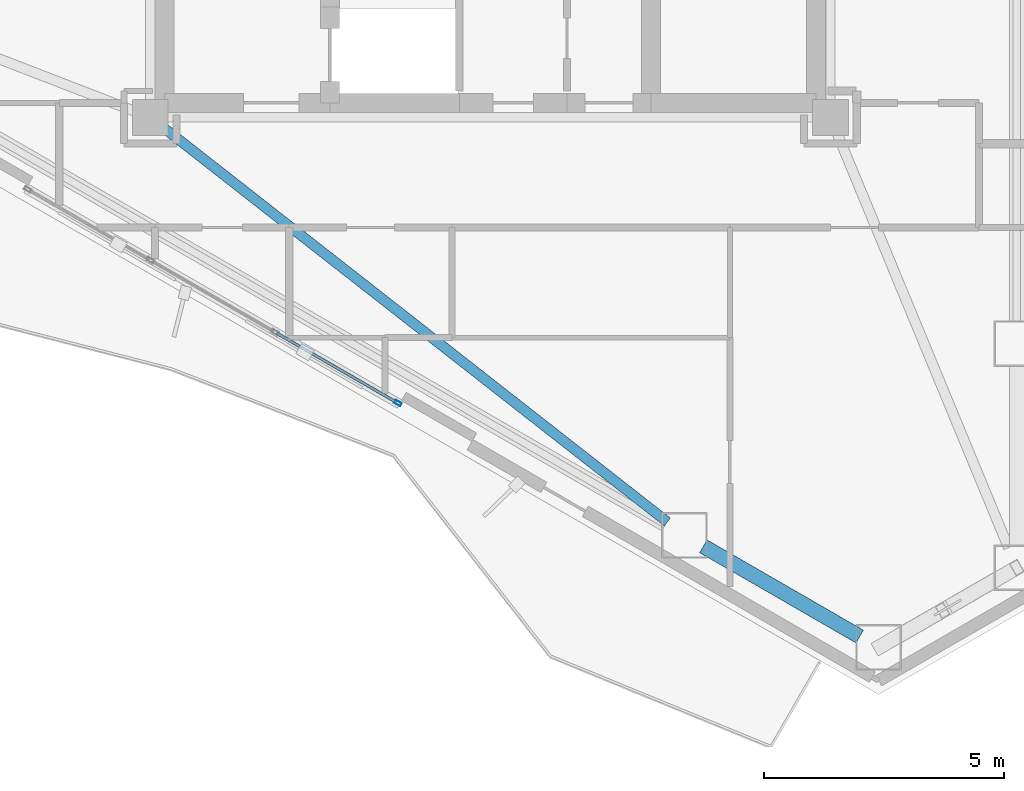
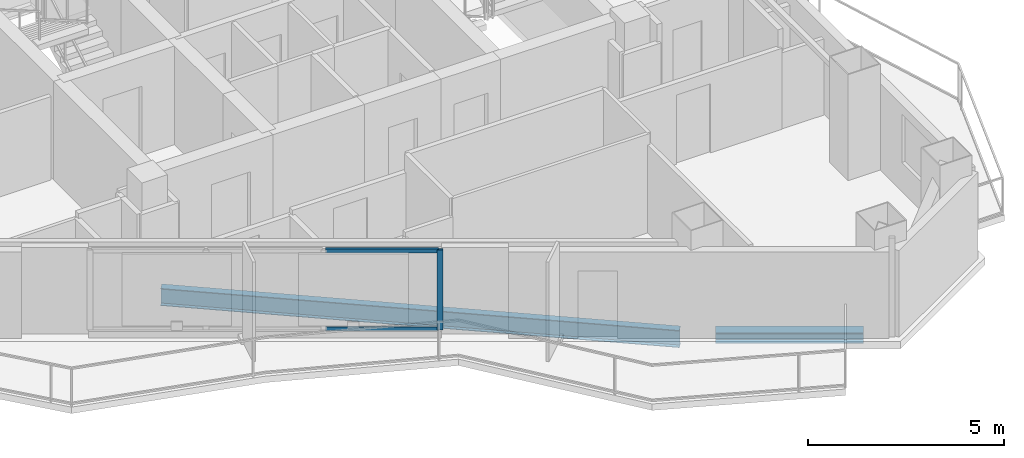
# One storey, part 4 of 21: 3 members, 2 beams, 1 element without a shape of its own.
"""IFC4 building model written with IfcOpenShell, lengths in metres."""

from ifc_helpers import new_model, si_unit, direction, frame, origin, origin_2d, place, context, subcontext, project, spatial, hollow_rectangle, i_section, extrude, material, layer, layer_set, material_profile, profile_set, type_object, element, aggregate, save


model = new_model("IFC4")

# Units and contexts
model_context = context("Model", 3, precision=1e-05, world=origin(), true_north=direction((0.0, 1.0)))
body_context = subcontext(model_context, "Body", "Model", "MODEL_VIEW")
ifc_project = project(units=[si_unit("LENGTHUNIT", "METRE"), si_unit("AREAUNIT", "SQUARE_METRE"), si_unit("VOLUMEUNIT", "CUBIC_METRE"), si_unit("PLANEANGLEUNIT", "RADIAN"), si_unit("MASSUNIT", "GRAM", prefix="KILO")], contexts=[model_context])

# Site, building, storey
site_placement = place(None, origin())
site = spatial("IfcSite", under=ifc_project, at=site_placement, CompositionType="ELEMENT")
building_placement = place(site_placement, origin())
building = spatial("IfcBuilding", under=site, at=building_placement, Name="Mersakhor Tower and Convention Hall", CompositionType="ELEMENT")
storey_placement = place(building_placement, frame((0.0, 0.0, 185.39990234375)))
storey = spatial("IfcBuildingStorey", under=building, at=storey_placement, Name="L51", CompositionType="ELEMENT", Elevation=185.39990234375)

# Beams
ifc_material_1 = material(Name="Steel S355", Category="steel")
ifc_material_profile_1 = material_profile(ifc_material_1, i_section(OverallWidth=0.2099609375, OverallDepth=0.53662109375, WebThickness=0.0107421875, FlangeThickness=0.017333984375, at=origin_2d()), Name="UB 533x210x101")
ifc_profile_set_1 = profile_set([ifc_material_profile_1], Name="Steel S355")
beam_type_1 = type_object("IfcBeamType", Name="BM-FB-533", PredefinedType="BEAM", material=ifc_profile_set_1)
beam_1_placement = place(storey_placement, frame((22.1796875, 20.231201171875, -0.498291015625), z_axis=(0.787496511663, -0.616319109, 0.0), x_axis=(0.616319109, 0.787496511663, 0.0)))
element("IfcBeam", 1, at=beam_1_placement, inside=storey, type_object=beam_type_1, Name="L51 Primary Floor Girder FG-5", PredefinedType="BEAM", context=body_context, shape_type="SweptSolid", body=[
    extrude(i_section(OverallWidth=0.2099609375, OverallDepth=0.53662109375, WebThickness=0.0107421875, FlangeThickness=0.017333984375, at=origin_2d()), origin(), (0.0, 0.0, 1.0), 13.35107421875),
])
ifc_material_2 = material(Name="Steel S355", Category="steel")
ifc_material_profile_2 = material_profile(ifc_material_2, i_section(OverallWidth=0.30908203125, OverallDepth=0.320556640625, WebThickness=0.013916015625, FlangeThickness=0.021728515625, at=origin_2d()), Name="UC 305x305x137")
ifc_profile_set_2 = profile_set([ifc_material_profile_2], Name="Steel S355")
beam_type_2 = type_object("IfcBeamType", Name="BM-SPD-UC305", PredefinedType="SPANDREL", material=ifc_profile_set_2)
beam_2_placement = place(storey_placement, frame((36.710205078125, 9.6103515625, -0.39013671875), z_axis=(-0.866046450459, 0.499963544319, 0.0), x_axis=(-0.499963544319, -0.866046450459, 0.0)))
element("IfcBeam", 2, at=beam_2_placement, inside=storey, type_object=beam_type_2, Name="L51 Perimeter Spandrel Beam SPB-09", PredefinedType="SPANDREL", context=body_context, shape_type="SweptSolid", body=[
    extrude(i_section(OverallWidth=0.30908203125, OverallDepth=0.320556640625, WebThickness=0.013916015625, FlangeThickness=0.021728515625, at=origin_2d()), origin(), (0.0, 0.0, 1.0), 3.769287109375),
])

# Curtain wall, members
ifc_material_3 = material(Name="Dark solar low-E aluminium curtain wall", Category="aluminium")
ifc_layer = layer(ifc_material_3, 0.169921875)
ifc_layer_set = layer_set([ifc_layer], Name="Dark solar low-E aluminium curtain wall")
curtain_wall_type = type_object("IfcCurtainWallType", Name="CW-SYS-02", PredefinedType="USERDEFINED", material=ifc_layer_set)
curtain_wall_placement = place(storey_placement, origin())
curtain_wall = element("IfcCurtainWall", 3, at=curtain_wall_placement, inside=storey, type_object=curtain_wall_type, Name="L51 Dark-Glass Curtain Wall F3-B2", ObjectType="CURTAIN WALL", PredefinedType="USERDEFINED")
ifc_material_4 = material(Name="Anodised aluminium EN AW-6063 T6", Category="aluminium")
ifc_material_profile_3 = material_profile(ifc_material_4, hollow_rectangle(XDim=0.074951171875, YDim=0.14990234375, WallThickness=0.00634765625, at=origin_2d()), Name="RHS 150x75x6.3")
ifc_profile_set_3 = profile_set([ifc_material_profile_3], Name="Anodised aluminium EN AW-6063 T6")
member_type_1 = type_object("IfcMemberType", Name="CWM-150x75", PredefinedType="MULLION", material=ifc_profile_set_3)
member_1_placement = place(storey_placement, frame((27.06982421875, 14.483154296875, 0.2001953125), z_axis=(0.0, 0.0, 1.0), x_axis=(-0.500007824483, -0.86602088627, 0.0)))
member_1 = element("IfcMember", 4, at=member_1_placement, type_object=member_type_1, Name="CW-02 mullion 1", PredefinedType="MULLION", context=body_context, shape_type="SweptSolid", body=[
    extrude(hollow_rectangle(XDim=0.074951171875, YDim=0.14990234375, WallThickness=0.00634765625, at=origin_2d()), origin(), (0.0, 0.0, 1.0), 2.489990234375),
])
ifc_material_5 = material(Name="Anodised aluminium EN AW-6063 T6", Category="aluminium")
ifc_material_profile_4 = material_profile(ifc_material_5, hollow_rectangle(XDim=0.06005859375, YDim=0.1201171875, WallThickness=0.0048828125, at=origin_2d()), Name="RHS 120x60x5")
ifc_profile_set_4 = profile_set([ifc_material_profile_4], Name="Anodised aluminium EN AW-6063 T6")
member_type_2 = type_object("IfcMemberType", Name="CWT-120x60", PredefinedType="USERDEFINED", material=ifc_profile_set_4)
member_2_placement = place(storey_placement, frame((27.037353515625, 14.501953125, 0.22998046875), z_axis=(-0.86601237176, 0.50002257145, 0.0), x_axis=(-0.50002257145, -0.86601237176, 0.0)))
member_2 = element("IfcMember", 5, at=member_2_placement, type_object=member_type_2, Name="CW-02 transom 1.1", ObjectType="TRANSOM", PredefinedType="USERDEFINED", context=body_context, shape_type="SweptSolid", body=[
    extrude(hollow_rectangle(XDim=0.06005859375, YDim=0.1201171875, WallThickness=0.0048828125, at=origin_2d()), origin(), (0.0, 0.0, 1.0), 2.886962890625),
])
member_3_placement = place(storey_placement, frame((27.037353515625, 14.501953125, 2.66015625), z_axis=(-0.86601237176, 0.50002257145, 0.0), x_axis=(-0.50002257145, -0.86601237176, 0.0)))
member_3 = element("IfcMember", 6, at=member_3_placement, type_object=member_type_2, Name="CW-02 transom 1.2", ObjectType="TRANSOM", PredefinedType="USERDEFINED", context=body_context, shape_type="SweptSolid", body=[
    extrude(hollow_rectangle(XDim=0.06005859375, YDim=0.1201171875, WallThickness=0.0048828125, at=origin_2d()), origin(), (0.0, 0.0, 1.0), 2.886962890625),
])
aggregate(curtain_wall, [member_1, member_2, member_3])

save(model, "model.ifc")
